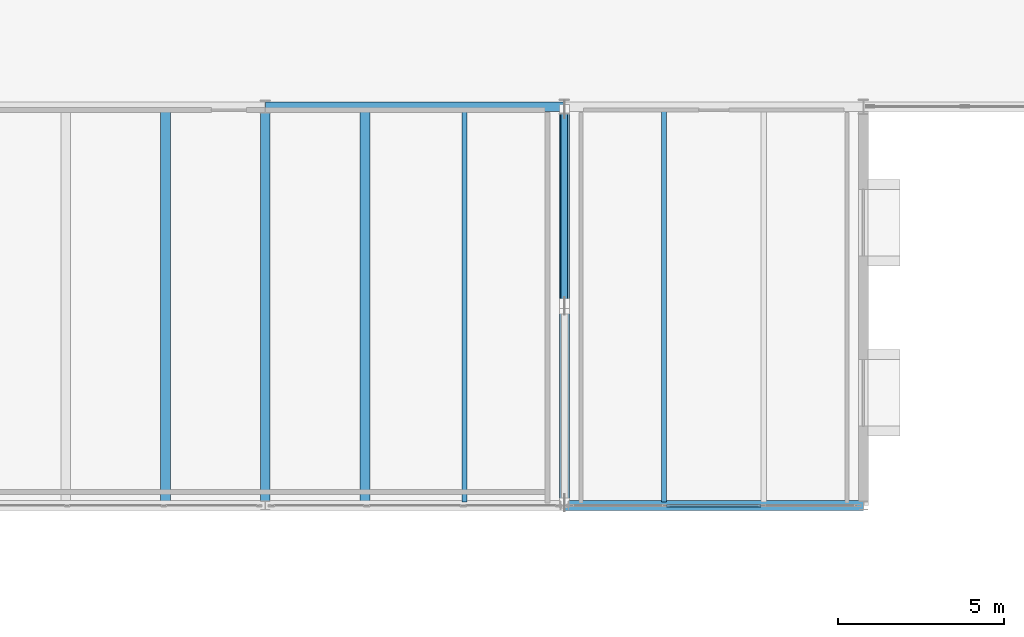
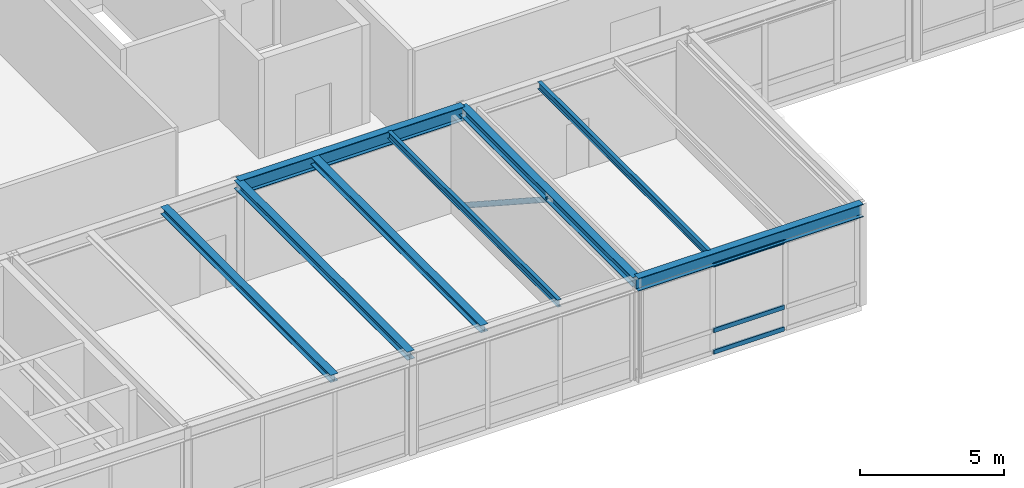
# One storey, part 27 of 67: 8 beams, 4 members, 1 element without a shape of its own.
"""IFC4 building model written with IfcOpenShell, lengths in metres."""

from ifc_helpers import new_model, si_unit, direction, frame, origin, origin_2d, place, context, subcontext, project, spatial, hollow_rectangle, hollow_circle, i_section, extrude, material, layer, layer_set, material_profile, profile_set, type_object, element, aggregate, save


model = new_model("IFC4")

# Units and contexts
model_context = context("Model", 3, precision=1e-05, world=origin(), true_north=direction((0.0, 1.0)))
body_context = subcontext(model_context, "Body", "Model", "MODEL_VIEW")
ifc_project = project(units=[si_unit("LENGTHUNIT", "METRE"), si_unit("AREAUNIT", "SQUARE_METRE"), si_unit("VOLUMEUNIT", "CUBIC_METRE"), si_unit("PLANEANGLEUNIT", "RADIAN"), si_unit("MASSUNIT", "GRAM", prefix="KILO")], contexts=[model_context])

# Site, building, storey
site_placement = place(None, origin())
site = spatial("IfcSite", under=ifc_project, at=site_placement, CompositionType="ELEMENT")
building_placement = place(site_placement, origin())
building = spatial("IfcBuilding", under=site, at=building_placement, Name="Montelvaro Courts of Justice", CompositionType="ELEMENT")
storey_placement = place(building_placement, frame((0.0, 0.0, 18.89990234375)))
storey = spatial("IfcBuildingStorey", under=building, at=storey_placement, Name="L04", CompositionType="ELEMENT", Elevation=18.89990234375)

# Beams
ifc_material_1 = material(Name="Steel S355", Category="steel")
ifc_material_profile_1 = material_profile(ifc_material_1, i_section(OverallWidth=0.300048828125, OverallDepth=0.31005859375, WebThickness=0.009033203125, FlangeThickness=0.015380859375, at=origin_2d()), Name="HEA 320")
ifc_profile_set_1 = profile_set([ifc_material_profile_1], Name="Steel S355")
beam_type_1 = type_object("IfcBeamType", Name="Beam_HEA320", PredefinedType="BEAM", material=ifc_profile_set_1)
for number, where, z_axis, x_axis, name in (
    (1, (114.0, 66.110107421875, 4.14501953125), (0.0, 1.0, 0.0), (-1.0, 0.0, 0.0), "Beam B-15 L04"),
    (2, (120.0, 66.110107421875, 4.14501953125), (0.0, 1.0, 0.0), (-1.0, 0.0, 0.0), "Beam B-15 L04"),
):
    element("IfcBeam", number, at=place(storey_placement, frame(where, z_axis=z_axis, x_axis=x_axis)), inside=storey, type_object=beam_type_1, Name=name, PredefinedType="BEAM", context=body_context, shape_type="SweptSolid", body=[
        extrude(i_section(OverallWidth=0.300048828125, OverallDepth=0.31005859375, WebThickness=0.009033203125, FlangeThickness=0.015380859375, at=origin_2d()), origin(), (0.0, 0.0, 1.0), 11.77978515625),
    ])
ifc_material_profile_2 = material_profile(ifc_material_1, i_section(OverallWidth=0.300048828125, OverallDepth=0.35009765625, WebThickness=0.010009765625, FlangeThickness=0.017578125, at=origin_2d()), Name="HEA 360")
ifc_profile_set_2 = profile_set([ifc_material_profile_2], Name="Steel S355")
beam_type_2 = type_object("IfcBeamType", Name="Beam_HEA360", PredefinedType="USERDEFINED", material=ifc_profile_set_2)
beam_1_placement = place(storey_placement, frame((117.0, 66.0, 4.125), z_axis=(0.0, 1.0, 0.0), x_axis=(-1.0, 0.0, 0.0)))
element("IfcBeam", 3, at=beam_1_placement, inside=storey, type_object=beam_type_2, Name="Beam B-16 L04", ObjectType="GIRDER", PredefinedType="USERDEFINED", context=body_context, shape_type="SweptSolid", body=[
    extrude(i_section(OverallWidth=0.300048828125, OverallDepth=0.35009765625, WebThickness=0.010009765625, FlangeThickness=0.017578125, at=origin_2d()), origin(), (0.0, 0.0, 1.0), 12.0),
])
ifc_material_profile_3 = material_profile(ifc_material_1, i_section(OverallWidth=0.300048828125, OverallDepth=0.389892578125, WebThickness=0.010986328125, FlangeThickness=0.01904296875, at=origin_2d()), Name="HEA 400")
ifc_profile_set_3 = profile_set([ifc_material_profile_3], Name="Steel S355")
beam_type_3 = type_object("IfcBeamType", Name="Beam_HEA400", PredefinedType="USERDEFINED", material=ifc_profile_set_3)
beam_2_placement = place(storey_placement, frame((126.0, 66.0, 4.10498046875), z_axis=(0.0, 1.0, 0.0), x_axis=(-1.0, 0.0, 0.0)))
element("IfcBeam", 4, at=beam_2_placement, inside=storey, type_object=beam_type_3, Name="Beam B-17 L04", ObjectType="GIRDER", PredefinedType="USERDEFINED", context=body_context, shape_type="SweptSolid", body=[
    extrude(i_section(OverallWidth=0.300048828125, OverallDepth=0.389892578125, WebThickness=0.010986328125, FlangeThickness=0.01904296875, at=origin_2d()), origin(), (0.0, 0.0, 1.0), 12.0),
])
ifc_material_profile_4 = material_profile(ifc_material_1, i_section(OverallWidth=0.300048828125, OverallDepth=0.5400390625, WebThickness=0.012451171875, FlangeThickness=0.02392578125, at=origin_2d()), Name="HEA 550")
ifc_profile_set_4 = profile_set([ifc_material_profile_4], Name="Steel S355")
beam_type_4 = type_object("IfcBeamType", Name="Beam_HEA550", PredefinedType="USERDEFINED", material=ifc_profile_set_4)
beam_3_placement = place(storey_placement, frame((126.0, 66.0, 4.030029296875), z_axis=(1.0, 0.0, 0.0), x_axis=(0.0, 1.0, 0.0)))
element("IfcBeam", 5, at=beam_3_placement, inside=storey, type_object=beam_type_4, Name="Beam B-20 L04", ObjectType="GIRDER", PredefinedType="USERDEFINED", context=body_context, shape_type="SweptSolid", body=[
    extrude(i_section(OverallWidth=0.300048828125, OverallDepth=0.5400390625, WebThickness=0.012451171875, FlangeThickness=0.02392578125, at=origin_2d()), origin(), (0.0, 0.0, 1.0), 9.0),
])
ifc_material_profile_5 = material_profile(ifc_material_1, i_section(OverallWidth=0.300048828125, OverallDepth=0.590087890625, WebThickness=0.012939453125, FlangeThickness=0.02490234375, at=origin_2d()), Name="HEA 600")
ifc_profile_set_5 = profile_set([ifc_material_profile_5], Name="Steel S355")
beam_type_5 = type_object("IfcBeamType", Name="Beam_HEA600", PredefinedType="USERDEFINED", material=ifc_profile_set_5)
beam_4_placement = place(storey_placement, frame((117.0, 78.0, 4.005126953125), z_axis=(1.0, 0.0, 0.0), x_axis=(0.0, 1.0, 0.0)))
element("IfcBeam", 6, at=beam_4_placement, inside=storey, type_object=beam_type_5, Name="Beam B-21 L04", ObjectType="GIRDER", PredefinedType="USERDEFINED", context=body_context, shape_type="SweptSolid", body=[
    extrude(i_section(OverallWidth=0.300048828125, OverallDepth=0.590087890625, WebThickness=0.012939453125, FlangeThickness=0.02490234375, at=origin_2d()), origin(), (0.0, 0.0, 1.0), 9.0),
])
ifc_material_profile_6 = material_profile(ifc_material_1, i_section(OverallWidth=0.14990234375, OverallDepth=0.300048828125, WebThickness=0.007080078125, FlangeThickness=0.0107421875, at=origin_2d()), Name="IPE 300")
ifc_profile_set_6 = profile_set([ifc_material_profile_6], Name="Steel S355")
beam_type_6 = type_object("IfcBeamType", Name="Beam_IPE300", PredefinedType="BEAM", material=ifc_profile_set_6)
for number, where, z_axis, x_axis, name in (
    (7, (123.0, 66.110107421875, 4.150146484375), (0.0, 1.0, 0.0), (-1.0, 0.0, 0.0), "Beam B-05 L04"),
    (8, (129.0, 66.110107421875, 4.150146484375), (0.0, 1.0, 0.0), (-1.0, 0.0, 0.0), "Beam B-05 L04"),
):
    element("IfcBeam", number, at=place(storey_placement, frame(where, z_axis=z_axis, x_axis=x_axis)), inside=storey, type_object=beam_type_6, Name=name, PredefinedType="BEAM", context=body_context, shape_type="SweptSolid", body=[
        extrude(i_section(OverallWidth=0.14990234375, OverallDepth=0.300048828125, WebThickness=0.007080078125, FlangeThickness=0.0107421875, at=origin_2d()), origin(), (0.0, 0.0, 1.0), 11.77978515625),
    ])

# Curtain wall, members
ifc_material_2 = material(Name="Anodised aluminium EN AW-6063", Category="aluminium")
ifc_layer = layer(ifc_material_2, 0.159912109375)
ifc_layer_set = layer_set([ifc_layer], Name="Anodised aluminium EN AW-6063")
curtain_wall_type = type_object("IfcCurtainWallType", Name="CurtainWall_18_868x418", PredefinedType="USERDEFINED", material=ifc_layer_set)
curtain_wall_placement = place(storey_placement, origin())
curtain_wall = element("IfcCurtainWall", 9, at=curtain_wall_placement, inside=storey, type_object=curtain_wall_type, Name="Curtain Wall CW-18 (L04)", ObjectType="CURTAIN WALL", PredefinedType="USERDEFINED")
ifc_material_profile_7 = material_profile(ifc_material_2, hollow_rectangle(XDim=0.074951171875, YDim=0.179931640625, WallThickness=0.0048828125, at=origin_2d()), Name="ALU-T 75x180")
ifc_profile_set_7 = profile_set([ifc_material_profile_7], Name="Anodised aluminium EN AW-6063")
member_type_1 = type_object("IfcMemberType", Name="CurtainWall_Transom_75x180", PredefinedType="USERDEFINED", material=ifc_profile_set_7)
member_1_placement = place(storey_placement, frame((129.080810546875, 66.0, 0.03759765625), z_axis=(1.0, 0.0, 0.0), x_axis=(0.0, 1.0, 0.0)))
member_1 = element("IfcMember", 10, at=member_1_placement, type_object=member_type_1, Name="CW-18 transom 2.1", ObjectType="TRANSOM", PredefinedType="USERDEFINED", context=body_context, shape_type="SweptSolid", body=[
    extrude(hollow_rectangle(XDim=0.074951171875, YDim=0.179931640625, WallThickness=0.0048828125, at=origin_2d()), origin(), (0.0, 0.0, 1.0), 2.83837890625),
])
member_2_placement = place(storey_placement, frame((129.080810546875, 66.0, 0.9501953125), z_axis=(1.0, 0.0, 0.0), x_axis=(0.0, 1.0, 0.0)))
member_2 = element("IfcMember", 11, at=member_2_placement, type_object=member_type_1, Name="CW-18 transom 2.2", ObjectType="TRANSOM", PredefinedType="USERDEFINED", context=body_context, shape_type="SweptSolid", body=[
    extrude(hollow_rectangle(XDim=0.074951171875, YDim=0.179931640625, WallThickness=0.0048828125, at=origin_2d()), origin(), (0.0, 0.0, 1.0), 2.83837890625),
])
member_3_placement = place(storey_placement, frame((129.080810546875, 66.0, 3.717529296875), z_axis=(1.0, 0.0, 0.0), x_axis=(0.0, 1.0, 0.0)))
member_3 = element("IfcMember", 12, at=member_3_placement, type_object=member_type_1, Name="CW-18 transom 2.3", ObjectType="TRANSOM", PredefinedType="USERDEFINED", context=body_context, shape_type="SweptSolid", body=[
    extrude(hollow_rectangle(XDim=0.074951171875, YDim=0.179931640625, WallThickness=0.0048828125, at=origin_2d()), origin(), (0.0, 0.0, 1.0), 2.83837890625),
])
aggregate(curtain_wall, [member_1, member_2, member_3])

# Member
ifc_material_profile_8 = material_profile(ifc_material_1, hollow_circle(Radius=0.109619140625, WallThickness=0.010009765625, at=origin_2d()), Name="CHS 219.1x10")
ifc_profile_set_8 = profile_set([ifc_material_profile_8], Name="Steel S355")
member_type_2 = type_object("IfcMemberType", Name="Mem_CHS219_Brace", PredefinedType="BRACE", material=ifc_profile_set_8)
member_4_placement = place(storey_placement, frame((126.0, 77.919921875, 0.080078125), z_axis=(0.0, -0.838304571462, 0.545202206036), x_axis=(1.0, 0.0, 0.0)))
element("IfcMember", 13, at=member_4_placement, inside=storey, type_object=member_type_2, Name="Lateral Braced Frame CBF3 Diagonal 2 (L04)", PredefinedType="BRACE", context=body_context, shape_type="SweptSolid", body=[
    extrude(hollow_circle(Radius=0.109619140625, WallThickness=0.010009765625, at=origin_2d()), origin(), (0.0, 0.0, 1.0), 7.061767578125),
])

save(model, "model.ifc")
